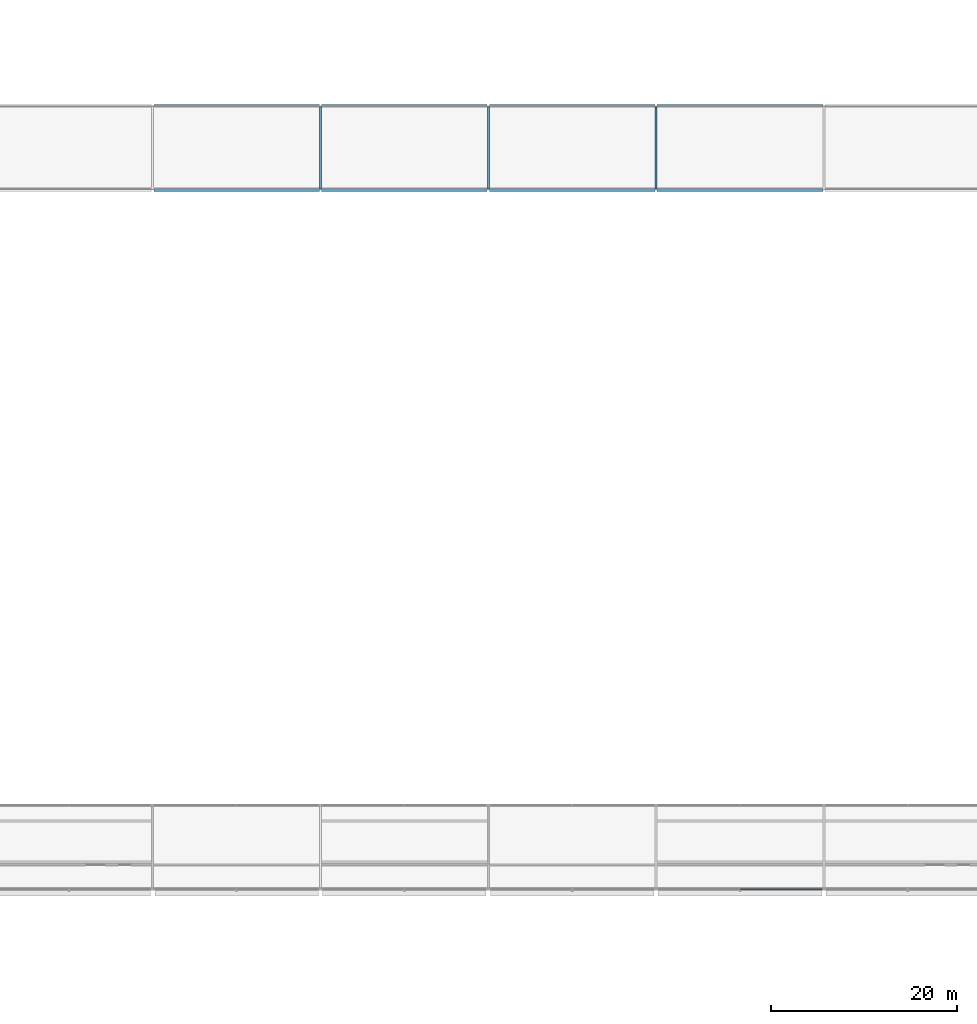
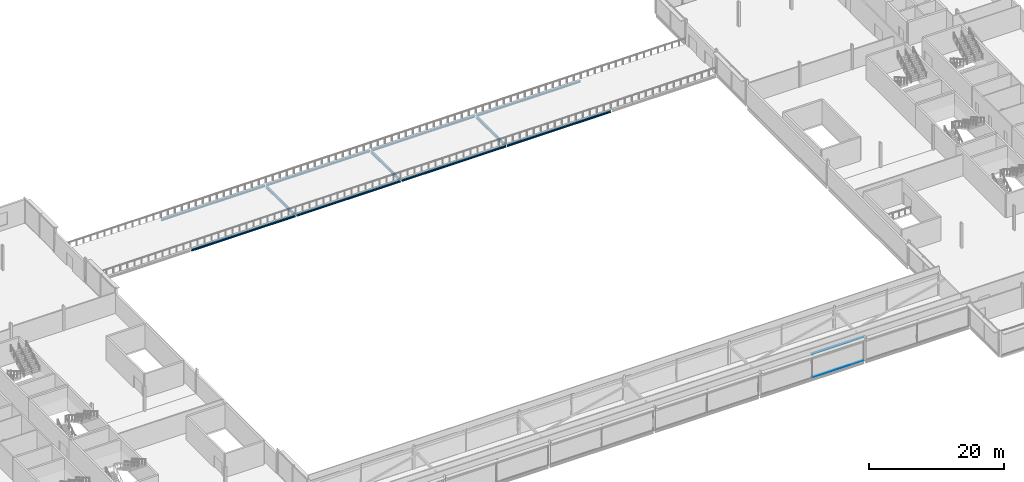
# One storey, part 24 of 73: 11 beams, 2 members, 1 element without a shape of its own.
"""IFC4 building model written with IfcOpenShell, lengths in metres."""

from ifc_helpers import new_model, si_unit, direction, frame, origin, origin_2d, place, context, subcontext, project, spatial, rectangle, i_section, extrude, material, layer, layer_set, material_profile, profile_set, type_object, element, aggregate, save


model = new_model("IFC4")

# Units and contexts
model_context = context("Model", 3, precision=1e-05, world=origin(), true_north=direction((0.0, 1.0)))
body_context = subcontext(model_context, "Body", "Model", "MODEL_VIEW")
ifc_project = project(units=[si_unit("LENGTHUNIT", "METRE"), si_unit("AREAUNIT", "SQUARE_METRE"), si_unit("VOLUMEUNIT", "CUBIC_METRE"), si_unit("PLANEANGLEUNIT", "RADIAN"), si_unit("MASSUNIT", "GRAM", prefix="KILO")], contexts=[model_context])

# Site, building, storey
site_placement = place(None, origin())
site = spatial("IfcSite", under=ifc_project, at=site_placement, CompositionType="ELEMENT")
building_placement = place(site_placement, origin())
building = spatial("IfcBuilding", under=site, at=building_placement, Name="Kisiwana Market Hall", CompositionType="ELEMENT")
storey_placement = place(building_placement, frame((0.0, 0.0, 33.300048828125)))
storey = spatial("IfcBuildingStorey", under=building, at=storey_placement, Name="L07", CompositionType="ELEMENT", Elevation=33.300048828125)

# Beams
ifc_material_1 = material(Name="Steel S355", Category="steel")
ifc_material_profile_1 = material_profile(ifc_material_1, i_section(OverallWidth=0.209228515625, OverallDepth=0.533203125, WebThickness=0.010009765625, FlangeThickness=0.015625, at=origin_2d()), Name="UB 533x210x92")
ifc_profile_set_1 = profile_set([ifc_material_profile_1], Name="Steel S355")
beam_type_1 = type_object("IfcBeamType", Name="BM-GIRD-UB533", PredefinedType="BEAM", material=ifc_profile_set_1)
for number, where, z_axis, x_axis, name in (
    (1, (81.0, 93.12109375, -0.524658203125), (0.0, 1.0, 0.0), (-1.0, 0.0, 0.0), "Primary girder B-1902"),
    (2, (99.0, 93.12109375, -0.524658203125), (0.0, 1.0, 0.0), (-1.0, 0.0, 0.0), "Primary girder B-1904"),
    (3, (117.0, 93.12109375, -0.524658203125), (0.0, 1.0, 0.0), (-1.0, 0.0, 0.0), "Primary girder B-1906"),
):
    element("IfcBeam", number, at=place(storey_placement, frame(where, z_axis=z_axis, x_axis=x_axis)), inside=storey, type_object=beam_type_1, Name=name, PredefinedType="BEAM", context=body_context, shape_type="SweptSolid", body=[
        extrude(i_section(OverallWidth=0.209228515625, OverallDepth=0.533203125, WebThickness=0.010009765625, FlangeThickness=0.015625, at=origin_2d()), origin(), (0.0, 0.0, 1.0), 8.7578125),
    ])
ifc_material_2 = material(Name="Steel S355", Category="steel")
ifc_material_profile_2 = material_profile(ifc_material_2, i_section(OverallWidth=0.314453125, OverallDepth=0.33984375, WebThickness=0.01904296875, FlangeThickness=0.031494140625, at=origin_2d()), Name="UC 305x305x198")
ifc_profile_set_2 = profile_set([ifc_material_profile_2], Name="Steel S355")
beam_type_2 = type_object("IfcBeamType", Name="BM-SKYBR-CHORD", PredefinedType="BEAM", material=ifc_profile_set_2)
for number, where, z_axis, x_axis, name in (
    (4, (63.12109375, 93.0, -0.427978515625), (1.0, 0.0, 0.0), (0.0, 1.0, 0.0), "Floor beam B-2002"),
    (5, (81.12109375, 93.0, -0.427978515625), (1.0, 0.0, 0.0), (0.0, 1.0, 0.0), "Floor beam B-2003"),
    (6, (99.12109375, 93.0, -0.427978515625), (1.0, 0.0, 0.0), (0.0, 1.0, 0.0), "Floor beam B-2004"),
    (7, (117.12109375, 93.0, -0.427978515625), (1.0, 0.0, 0.0), (0.0, 1.0, 0.0), "Floor beam B-2005"),
    (8, (63.12109375, 102.0, -0.427978515625), (1.0, 0.0, 0.0), (0.0, 1.0, 0.0), "Floor beam B-2012"),
    (9, (81.12109375, 102.0, -0.427978515625), (1.0, 0.0, 0.0), (0.0, 1.0, 0.0), "Floor beam B-2013"),
    (10, (99.12109375, 102.0, -0.427978515625), (1.0, 0.0, 0.0), (0.0, 1.0, 0.0), "Floor beam B-2014"),
    (11, (117.12109375, 102.0, -0.427978515625), (1.0, 0.0, 0.0), (0.0, 1.0, 0.0), "Floor beam B-2015"),
):
    element("IfcBeam", number, at=place(storey_placement, frame(where, z_axis=z_axis, x_axis=x_axis)), inside=storey, type_object=beam_type_2, Name=name, PredefinedType="BEAM", context=body_context, shape_type="SweptSolid", body=[
        extrude(i_section(OverallWidth=0.314453125, OverallDepth=0.33984375, WebThickness=0.01904296875, FlangeThickness=0.031494140625, at=origin_2d()), origin(), (0.0, 0.0, 1.0), 17.7578125),
    ])

# Curtain wall, members
ifc_material_3 = material(Name="Double-glazed solar-control low-E IGU", Category="glass")
ifc_layer = layer(ifc_material_3, 0.159912109375)
ifc_layer_set = layer_set([ifc_layer], Name="CW-BRG-L07-8200")
curtain_wall_type = type_object("IfcCurtainWallType", Name="CW-BRG-L07-8200", PredefinedType="USERDEFINED", material=ifc_layer_set)
curtain_wall_placement = place(storey_placement, origin())
curtain_wall = element("IfcCurtainWall", 12, at=curtain_wall_placement, inside=storey, type_object=curtain_wall_type, Name="Unitised curtain wall CW-216 (L07)", ObjectType="UNITISED CURTAIN WALL", PredefinedType="USERDEFINED")
ifc_material_4 = material(Name="Aluminium alloy 6063-T6", Category="aluminium")
ifc_material_profile_3 = material_profile(ifc_material_4, rectangle(XDim=0.1201171875, YDim=0.06005859375, at=origin_2d()), Name="ALU TRANSOM 60x120")
ifc_profile_set_3 = profile_set([ifc_material_profile_3], Name="Aluminium alloy 6063-T6")
member_type = type_object("IfcMemberType", Name="CW-TRAN-60x120", PredefinedType="USERDEFINED", material=ifc_profile_set_3)
member_1_placement = place(storey_placement, frame((126.034912109375, 18.0, 0.030029296875), z_axis=(1.0, 0.0, 0.0), x_axis=(0.0, 1.0, 0.0)))
member_1 = element("IfcMember", 13, at=member_1_placement, type_object=member_type, Name="CW-216 transom 2.1", ObjectType="TRANSOM", PredefinedType="USERDEFINED", context=body_context, shape_type="SweptSolid", body=[
    extrude(rectangle(XDim=0.1201171875, YDim=0.06005859375, at=origin_2d()), origin(), (0.0, 0.0, 1.0), 8.77001953125),
])
member_2_placement = place(storey_placement, frame((126.034912109375, 18.0, 4.224853515625), z_axis=(1.0, 0.0, 0.0), x_axis=(0.0, 1.0, 0.0)))
member_2 = element("IfcMember", 14, at=member_2_placement, type_object=member_type, Name="CW-216 transom 2.2", ObjectType="TRANSOM", PredefinedType="USERDEFINED", context=body_context, shape_type="SweptSolid", body=[
    extrude(rectangle(XDim=0.1201171875, YDim=0.06005859375, at=origin_2d()), origin(), (0.0, 0.0, 1.0), 8.77001953125),
])
aggregate(curtain_wall, [member_1, member_2])

save(model, "model.ifc")
